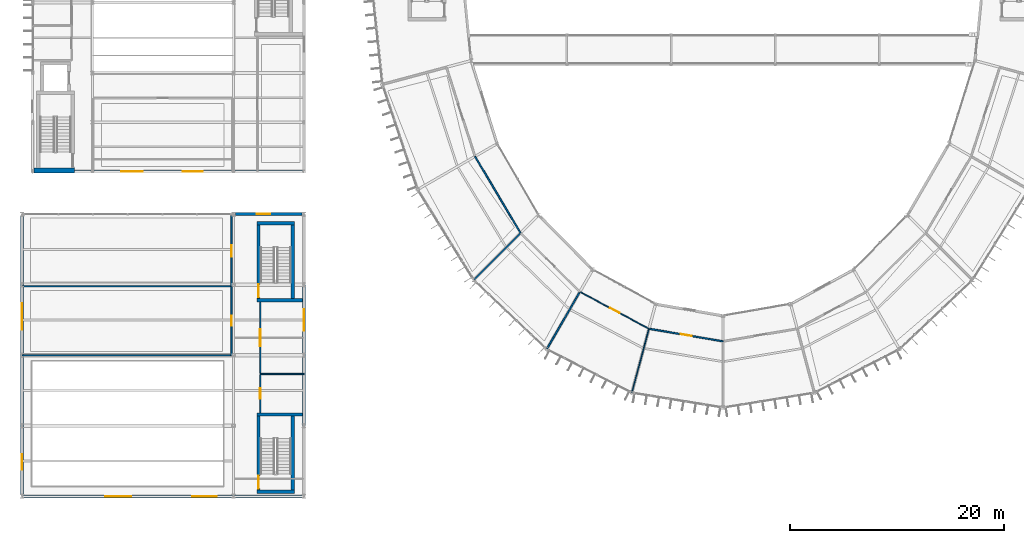
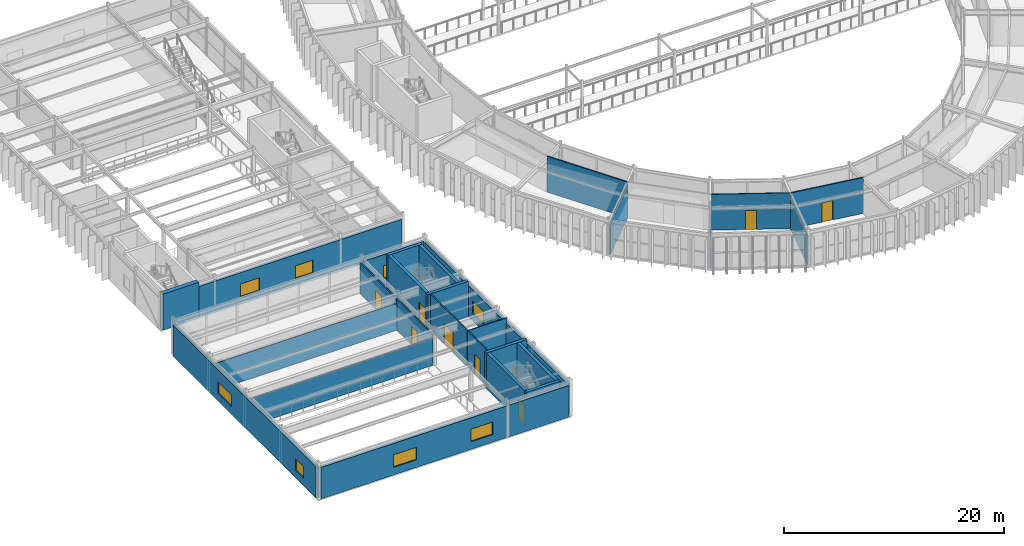
# One storey, part 121 of 148: 27 walls, 8 doors, 8 windows, 16 openings.
"""IFC4 building model written with IfcOpenShell, lengths in metres."""

from ifc_helpers import new_model, si_unit, direction, frame, frame_2d, origin, place, context, subcontext, project, spatial, rectangle, extrude, material, layer, layer_set, type_object, element, fill, save


model = new_model("IFC4")

# Units and contexts
model_context = context("Model", 3, precision=1e-05, world=origin(), true_north=direction((0.0, 1.0)))
body_context = subcontext(model_context, "Body", "Model", "MODEL_VIEW")
ifc_project = project(units=[si_unit("LENGTHUNIT", "METRE"), si_unit("AREAUNIT", "SQUARE_METRE"), si_unit("VOLUMEUNIT", "CUBIC_METRE"), si_unit("PLANEANGLEUNIT", "RADIAN"), si_unit("MASSUNIT", "GRAM", prefix="KILO")], contexts=[model_context])

# Site, building, storey
site_placement = place(None, origin())
site = spatial("IfcSite", under=ifc_project, at=site_placement, CompositionType="ELEMENT")
building_placement = place(site_placement, origin())
building = spatial("IfcBuilding", under=site, at=building_placement, Name="Karori Crest Natural Sciences Institute", CompositionType="ELEMENT")
storey_placement = place(building_placement, frame((0.0, 0.0, 4.89990234375)))
storey = spatial("IfcBuildingStorey", under=building, at=storey_placement, Name="L01", CompositionType="ELEMENT", Elevation=4.89990234375)

# Walls
ifc_material_1 = material(Name="Concrete 50 MPa", Category="concrete")
ifc_layer_1 = layer(ifc_material_1, 0.449951171875, Name="Concrete 50 MPa")
ifc_layer_set_1 = layer_set([ifc_layer_1], Name="Concrete 50 MPa")
wall_type_1 = type_object("IfcWallType", Name="IWT-01-EL", PredefinedType="SHEAR", material=ifc_layer_set_1)
wall_1_placement = place(storey_placement, frame((1.927001953125, 31.27490234375, 0.0), z_axis=(0.0, 0.0, 1.0), x_axis=(1.0, 0.0, 0.0)))
element("IfcWall", 1, at=wall_1_placement, inside=storey, type_object=wall_type_1, Name="Shear wall IW-0233", PredefinedType="SHEAR", context=body_context, shape_type="SweptSolid", body=[
    extrude(rectangle(XDim=3.79296875, YDim=0.449951171875, at=frame_2d((1.896484375, 0.0))), origin(), (0.0, 0.0, 1.0), 4.0),
])
ifc_layer_2 = layer(ifc_material_1, 0.320068359375, Name="Concrete 50 MPa")
ifc_layer_set_2 = layer_set([ifc_layer_2], Name="Concrete 50 MPa")
wall_type_2 = type_object("IfcWallType", Name="IWT-03", PredefinedType="SHEAR", material=ifc_layer_set_2)
wall_2_placement = place(storey_placement, frame((22.780029296875, 1.239990234375, 0.0), z_axis=(0.0, 0.0, 1.0), x_axis=(1.0, 0.0, 0.0)))
element("IfcWall", 2, at=wall_2_placement, inside=storey, type_object=wall_type_2, Name="Shear wall IW-0281", PredefinedType="SHEAR", context=body_context, shape_type="SweptSolid", body=[
    extrude(rectangle(XDim=3.5400390625, YDim=0.320068359375, at=frame_2d((1.77001953125, 0.0))), origin(), (0.0, 0.0, 1.0), 3.960205078125),
])
wall_3_placement = place(storey_placement, frame((22.780029296875, 8.4599609375, 0.0), z_axis=(0.0, 0.0, 1.0), x_axis=(1.0, 0.0, 0.0)))
element("IfcWall", 3, at=wall_3_placement, inside=storey, type_object=wall_type_2, Name="Shear wall IW-0282", PredefinedType="SHEAR", context=body_context, shape_type="SweptSolid", body=[
    extrude(rectangle(XDim=4.27490234375, YDim=0.320068359375, at=frame_2d((2.137451171875, 0.0))), origin(), (0.0, 0.0, 1.0), 3.960205078125),
])

# Wall, opening, door
wall_4_placement = place(storey_placement, frame((22.93994140625, 1.402099609375, 0.0), z_axis=(0.0, 0.0, 1.0), x_axis=(0.0, 1.0, 0.0)))
wall_4 = element("IfcWall", 4, at=wall_4_placement, inside=storey, type_object=wall_type_2, Name="Shear wall IW-0283", PredefinedType="SHEAR", context=body_context, shape_type="SweptSolid", body=[
    extrude(rectangle(XDim=6.89599609375, YDim=0.320068359375, at=frame_2d((3.447998046875, 0.0))), origin(), (0.0, 0.0, 1.0), 3.960205078125),
])
opening_1_placement = place(wall_4_placement, frame((0.1201171875, 0.0, 0.0)))
opening_1 = element("IfcOpeningElement", 5, at=opening_1_placement, cuts=wall_4, Name="Opening ID-0071", PredefinedType="OPENING", context=body_context, shape_type="SweptSolid", body=[
    extrude(rectangle(XDim=1.199951171875, YDim=2.14990234375, at=frame_2d((0.60009765625, 1.074951171875))), frame((0.0, 0.169921875, 0.0), z_axis=(0.0, -1.0, 0.0), x_axis=(1.0, 0.0, 0.0)), (0.0, 0.0, 1.0), 0.340087890625),
])
ifc_material_2 = material(Name="Stainless steel 316 and fire-rated timber", Category="steel")
door_type_1 = type_object("IfcDoorType", Name="IDT-01", OperationType="NOTDEFINED", PredefinedType="DOOR", material=ifc_material_2)
door_1_placement = place(opening_1_placement, origin())
door_1 = element("IfcDoor", 6, at=door_1_placement, inside=storey, type_object=door_type_1, Name="Stair ST-09 fire door ID-0071", OperationType="SINGLE_SWING_LEFT", OverallHeight=2.14990234375, OverallWidth=1.199951171875, PredefinedType="DOOR", context=body_context, shape_type="SweptSolid", body=[
    extrude(rectangle(XDim=1.199951171875, YDim=2.14990234375, at=frame_2d((0.60009765625, 1.074951171875))), frame((0.0, 0.02490234375, 0.0), z_axis=(0.0, -1.0, 0.0), x_axis=(1.0, 0.0, 0.0)), (0.0, 0.0, 1.0), 0.050048828125),
])
fill(opening_1, door_1)

# Walls
wall_5_placement = place(storey_placement, frame((26.159912109375, 1.402099609375, 0.0), z_axis=(0.0, 0.0, 1.0), x_axis=(0.0, 1.0, 0.0)))
element("IfcWall", 7, at=wall_5_placement, inside=storey, type_object=wall_type_2, Name="Shear wall IW-0284", PredefinedType="SHEAR", context=body_context, shape_type="SweptSolid", body=[
    extrude(rectangle(XDim=6.89599609375, YDim=0.320068359375, at=frame_2d((3.447998046875, 0.0))), origin(), (0.0, 0.0, 1.0), 3.960205078125),
])
wall_6_placement = place(storey_placement, frame((22.780029296875, 19.139892578125, 0.0), z_axis=(0.0, 0.0, 1.0), x_axis=(1.0, 0.0, 0.0)))
element("IfcWall", 8, at=wall_6_placement, inside=storey, type_object=wall_type_2, Name="Shear wall IW-0297", PredefinedType="SHEAR", context=body_context, shape_type="SweptSolid", body=[
    extrude(rectangle(XDim=4.27490234375, YDim=0.320068359375, at=frame_2d((2.137451171875, 0.0))), origin(), (0.0, 0.0, 1.0), 3.960205078125),
])
wall_7_placement = place(storey_placement, frame((22.780029296875, 26.360107421875, 0.0), z_axis=(0.0, 0.0, 1.0), x_axis=(1.0, 0.0, 0.0)))
element("IfcWall", 9, at=wall_7_placement, inside=storey, type_object=wall_type_2, Name="Shear wall IW-0298", PredefinedType="SHEAR", context=body_context, shape_type="SweptSolid", body=[
    extrude(rectangle(XDim=3.5400390625, YDim=0.320068359375, at=frame_2d((1.77001953125, 0.0))), origin(), (0.0, 0.0, 1.0), 3.960205078125),
])

# Wall, opening, door
wall_8_placement = place(storey_placement, frame((22.93994140625, 19.302001953125, 0.0), z_axis=(0.0, 0.0, 1.0), x_axis=(0.0, 1.0, 0.0)))
wall_8 = element("IfcWall", 10, at=wall_8_placement, inside=storey, type_object=wall_type_2, Name="Shear wall IW-0299", PredefinedType="SHEAR", context=body_context, shape_type="SweptSolid", body=[
    extrude(rectangle(XDim=6.89599609375, YDim=0.320068359375, at=frame_2d((3.447998046875, 0.0))), origin(), (0.0, 0.0, 1.0), 3.960205078125),
])
opening_2_placement = place(wall_8_placement, frame((0.1201171875, 0.0, 0.0)))
opening_2 = element("IfcOpeningElement", 11, at=opening_2_placement, cuts=wall_8, Name="Opening ID-0075", PredefinedType="OPENING", context=body_context, shape_type="SweptSolid", body=[
    extrude(rectangle(XDim=1.199951171875, YDim=2.14990234375, at=frame_2d((0.60009765625, 1.074951171875))), frame((0.0, 0.169921875, 0.0), z_axis=(0.0, -1.0, 0.0), x_axis=(1.0, 0.0, 0.0)), (0.0, 0.0, 1.0), 0.340087890625),
])
door_2_placement = place(opening_2_placement, origin())
door_2 = element("IfcDoor", 12, at=door_2_placement, inside=storey, type_object=door_type_1, Name="Stair ST-10 fire door ID-0075", OperationType="SINGLE_SWING_LEFT", OverallHeight=2.14990234375, OverallWidth=1.199951171875, PredefinedType="DOOR", context=body_context, shape_type="SweptSolid", body=[
    extrude(rectangle(XDim=1.199951171875, YDim=2.14990234375, at=frame_2d((0.60009765625, 1.074951171875))), frame((0.0, 0.02490234375, 0.0), z_axis=(0.0, -1.0, 0.0), x_axis=(1.0, 0.0, 0.0)), (0.0, 0.0, 1.0), 0.050048828125),
])
fill(opening_2, door_2)

# Walls
wall_9_placement = place(storey_placement, frame((26.159912109375, 19.302001953125, 0.0), z_axis=(0.0, 0.0, 1.0), x_axis=(0.0, 1.0, 0.0)))
element("IfcWall", 13, at=wall_9_placement, inside=storey, type_object=wall_type_2, Name="Shear wall IW-0300", PredefinedType="SHEAR", context=body_context, shape_type="SweptSolid", body=[
    extrude(rectangle(XDim=6.89599609375, YDim=0.320068359375, at=frame_2d((3.447998046875, 0.0))), origin(), (0.0, 0.0, 1.0), 3.960205078125),
])
ifc_material_3 = material(Name="Laboratory acoustic drywall partition")
ifc_layer_3 = layer(ifc_material_3, 0.139892578125, Name="Laboratory acoustic drywall partition")
ifc_layer_set_3 = layer_set([ifc_layer_3], Name="Laboratory acoustic drywall partition")
wall_type_3 = type_object("IfcWallType", Name="IWT-07", PredefinedType="PARTITIONING", material=ifc_layer_set_3)
wall_10_placement = place(storey_placement, frame((43.19140625, 32.598388671875, 0.0), z_axis=(0.0, 0.0, 1.0), x_axis=(0.510915698067, -0.859630821614, 0.0)))
element("IfcWall", 14, at=wall_10_placement, inside=storey, type_object=wall_type_3, Name="Partition wall IW-1231", PredefinedType="PARTITIONING", context=body_context, shape_type="SweptSolid", body=[
    extrude(rectangle(XDim=8.334228515625, YDim=0.139892578125, at=frame_2d((4.1669921875, 0.0))), origin(), (0.0, 0.0, 1.0), 3.97998046875),
])
wall_11_placement = place(storey_placement, frame((47.392822265625, 25.37744140625, 0.0), z_axis=(0.0, 0.0, 1.0), x_axis=(-0.707086637129, -0.70712692467, 0.0)))
element("IfcWall", 15, at=wall_11_placement, inside=storey, type_object=wall_type_3, Name="Partition wall IW-1233", PredefinedType="PARTITIONING", context=body_context, shape_type="SweptSolid", body=[
    extrude(rectangle(XDim=6.06005859375, YDim=0.139892578125, at=frame_2d((3.030029296875, 0.0))), origin(), (0.0, 0.0, 1.0), 3.39208984375),
])
wall_12_placement = place(storey_placement, frame((52.9599609375, 19.8662109375, 0.0), z_axis=(0.0, 0.0, 1.0), x_axis=(-0.500008418462, -0.866020543329, 0.0)))
element("IfcWall", 16, at=wall_12_placement, inside=storey, type_object=wall_type_3, Name="Partition wall IW-1235", PredefinedType="PARTITIONING", context=body_context, shape_type="SweptSolid", body=[
    extrude(rectangle(XDim=6.06005859375, YDim=0.139892578125, at=frame_2d((3.030029296875, 0.0))), origin(), (0.0, 0.0, 1.0), 3.31298828125),
])

# Wall, opening, door
wall_13_placement = place(storey_placement, frame((59.51513671875, 16.47021484375, 0.0), z_axis=(0.0, 0.0, 1.0), x_axis=(0.985861622289, -0.167561516157, 0.0)))
wall_13 = element("IfcWall", 17, at=wall_13_placement, inside=storey, type_object=wall_type_3, Name="Partition wall IW-1238", PredefinedType="PARTITIONING", context=body_context, shape_type="SweptSolid", body=[
    extrude(rectangle(XDim=6.9833984375, YDim=0.139892578125, at=frame_2d((3.49169921875, 0.0))), origin(), (0.0, 0.0, 1.0), 3.97998046875),
])
opening_3_placement = place(wall_13_placement, frame((2.966796875, 0.0, 0.0)))
opening_3 = element("IfcOpeningElement", 18, at=opening_3_placement, cuts=wall_13, Name="Opening ID-0378", PredefinedType="OPENING", context=body_context, shape_type="SweptSolid", body=[
    extrude(rectangle(XDim=1.050048828125, YDim=2.14990234375, at=frame_2d((0.52490234375, 1.074951171875))), frame((0.0, 0.080078125, 0.0), z_axis=(0.0, -1.0, 0.0), x_axis=(1.0, 0.0, 0.0)), (0.0, 0.0, 1.0), 0.159912109375),
])
door_type_2 = type_object("IfcDoorType", Name="IDT-03", OperationType="NOTDEFINED", PredefinedType="DOOR", material=ifc_material_2)
door_3_placement = place(opening_3_placement, origin())
door_3 = element("IfcDoor", 19, at=door_3_placement, inside=storey, type_object=door_type_2, Name="Paleoclimate Core Analysis Laboratory door ID-0378", OperationType="SINGLE_SWING_LEFT", OverallHeight=2.14990234375, OverallWidth=1.050048828125, PredefinedType="DOOR", context=body_context, shape_type="SweptSolid", body=[
    extrude(rectangle(XDim=1.050048828125, YDim=2.14990234375, at=frame_2d((0.52490234375, 1.074951171875))), frame((0.0, 0.02490234375, 0.0), z_axis=(0.0, -1.0, 0.0), x_axis=(1.0, 0.0, 0.0)), (0.0, 0.0, 1.0), 0.050048828125),
])
fill(opening_3, door_3)

# Walls
ifc_material_4 = material(Name="Write-up office acoustic partition")
ifc_layer_4 = layer(ifc_material_4, 0.1201171875, Name="Write-up office acoustic partition")
ifc_layer_set_4 = layer_set([ifc_layer_4], Name="Write-up office acoustic partition")
wall_type_4 = type_object("IfcWallType", Name="IWT-08", PredefinedType="PARTITIONING", material=ifc_layer_set_4)
for number, where, z_axis, x_axis, name in (
    (20, (0.800048828125, 14.0, 0.0), (0.0, 0.0, 1.0), (1.0, 0.0, 0.0), "Partition wall IW-1059"),
    (21, (0.800048828125, 20.449951171875, 0.0), (0.0, 0.0, 1.0), (1.0, 0.0, 0.0), "Partition wall IW-1060"),
):
    element("IfcWall", number, at=place(storey_placement, frame(where, z_axis=z_axis, x_axis=x_axis)), inside=storey, type_object=wall_type_4, Name=name, PredefinedType="PARTITIONING", context=body_context, shape_type="SweptSolid", body=[
        extrude(rectangle(XDim=19.599853515625, YDim=0.1201171875, at=frame_2d((9.7998046875, 0.0))), origin(), (0.0, 0.0, 1.0), 2.9970703125),
    ])

# Wall, opening, door
wall_14_placement = place(storey_placement, frame((20.39990234375, 14.0, 0.0), z_axis=(0.0, 0.0, 1.0), x_axis=(0.0, 1.0, 0.0)))
wall_14 = element("IfcWall", 22, at=wall_14_placement, inside=storey, type_object=wall_type_4, Name="Partition wall IW-1061", PredefinedType="PARTITIONING", context=body_context, shape_type="SweptSolid", body=[
    extrude(rectangle(XDim=6.449951171875, YDim=0.1201171875, at=frame_2d((3.22509765625, 0.0))), origin(), (0.0, 0.0, 1.0), 3.445068359375),
])
opening_4_placement = place(wall_14_placement, frame((2.75, 0.0, 0.0)))
opening_4 = element("IfcOpeningElement", 23, at=opening_4_placement, cuts=wall_14, Name="Opening ID-0299", PredefinedType="OPENING", context=body_context, shape_type="SweptSolid", body=[
    extrude(rectangle(XDim=0.949951171875, YDim=2.10009765625, at=frame_2d((0.47509765625, 1.050048828125))), frame((0.0, 0.070068359375, 0.0), z_axis=(0.0, -1.0, 0.0), x_axis=(1.0, 0.0, 0.0)), (0.0, 0.0, 1.0), 0.14013671875),
])
ifc_material_5 = material(Name="Anodised aluminium and acoustic timber", Category="wood")
door_type_3 = type_object("IfcDoorType", Name="IDT-08", OperationType="NOTDEFINED", PredefinedType="DOOR", material=ifc_material_5)
door_4_placement = place(opening_4_placement, origin())
door_4 = element("IfcDoor", 24, at=door_4_placement, inside=storey, type_object=door_type_3, Name="Auditorium Upper Tier Gallery door ID-0299", OperationType="SINGLE_SWING_LEFT", OverallHeight=2.10009765625, OverallWidth=0.949951171875, PredefinedType="DOOR", context=body_context, shape_type="SweptSolid", body=[
    extrude(rectangle(XDim=0.949951171875, YDim=2.10009765625, at=frame_2d((0.47509765625, 1.050048828125))), frame((0.0, 0.02490234375, 0.0), z_axis=(0.0, -1.0, 0.0), x_axis=(1.0, 0.0, 0.0)), (0.0, 0.0, 1.0), 0.050048828125),
])
fill(opening_4, door_4)

wall_15_placement = place(storey_placement, frame((20.39990234375, 20.451904296875, 0.0), z_axis=(0.0, 0.0, 1.0), x_axis=(0.0, 1.0, 0.0)))
wall_15 = element("IfcWall", 25, at=wall_15_placement, inside=storey, type_object=wall_type_4, Name="Partition wall IW-1062", PredefinedType="PARTITIONING", context=body_context, shape_type="SweptSolid", body=[
    extrude(rectangle(XDim=6.606201171875, YDim=0.1201171875, at=frame_2d((3.30322265625, 0.0))), origin(), (0.0, 0.0, 1.0), 3.445068359375),
])
opening_5_placement = place(wall_15_placement, frame((2.762939453125, 0.0, 0.0)))
opening_5 = element("IfcOpeningElement", 26, at=opening_5_placement, cuts=wall_15, Name="Opening ID-0300", PredefinedType="OPENING", context=body_context, shape_type="SweptSolid", body=[
    extrude(rectangle(XDim=1.080078125, YDim=2.1201171875, at=frame_2d((0.5400390625, 1.06005859375))), frame((0.0, 0.070068359375, 0.0), z_axis=(0.0, -1.0, 0.0), x_axis=(1.0, 0.0, 0.0)), (0.0, 0.0, 1.0), 0.14013671875),
])
door_type_4 = type_object("IfcDoorType", Name="IDT-12", OperationType="NOTDEFINED", PredefinedType="DOOR", material=ifc_material_5)
door_5_placement = place(opening_5_placement, origin())
door_5 = element("IfcDoor", 27, at=door_5_placement, inside=storey, type_object=door_type_4, Name="Projection and Acoustic Control Suite door ID-0300", OperationType="SINGLE_SWING_RIGHT", OverallHeight=2.1201171875, OverallWidth=1.080078125, PredefinedType="DOOR", context=body_context, shape_type="SweptSolid", body=[
    extrude(rectangle(XDim=1.080078125, YDim=2.1201171875, at=frame_2d((0.5400390625, 1.06005859375))), frame((0.0, 0.02490234375, 0.0), z_axis=(0.0, -1.0, 0.0), x_axis=(1.0, 0.0, 0.0)), (0.0, 0.0, 1.0), 0.050048828125),
])
fill(opening_5, door_5)

wall_16_placement = place(storey_placement, frame((23.10009765625, 12.302001953125, 0.0), z_axis=(0.0, 0.0, 1.0), x_axis=(0.0, 1.0, 0.0)))
wall_16 = element("IfcWall", 28, at=wall_16_placement, inside=storey, type_object=wall_type_4, Name="Partition wall IW-1065", PredefinedType="PARTITIONING", context=body_context, shape_type="SweptSolid", body=[
    extrude(rectangle(XDim=6.677978515625, YDim=0.1201171875, at=frame_2d((3.3388671875, 0.0))), origin(), (0.0, 0.0, 1.0), 3.960205078125),
])
opening_6_placement = place(wall_16_placement, frame((2.5390625, 0.0, 0.0)))
opening_6 = element("IfcOpeningElement", 29, at=opening_6_placement, cuts=wall_16, Name="Opening ID-0302", PredefinedType="OPENING", context=body_context, shape_type="SweptSolid", body=[
    extrude(rectangle(XDim=1.60009765625, YDim=2.179931640625, at=frame_2d((0.800048828125, 1.08984375))), frame((0.0, 0.070068359375, 0.0), z_axis=(0.0, -1.0, 0.0), x_axis=(1.0, 0.0, 0.0)), (0.0, 0.0, 1.0), 0.14013671875),
])
door_type_5 = type_object("IfcDoorType", Name="IDT-13", OperationType="DOUBLE_DOOR_SINGLE_SWING", PredefinedType="DOOR", material=ifc_material_5)
door_6_placement = place(opening_6_placement, origin())
door_6 = element("IfcDoor", 30, at=door_6_placement, inside=storey, type_object=door_type_5, Name="Green Room Colloquium Lounge door ID-0302", OperationType="DOUBLE_DOOR_SINGLE_SWING", OverallHeight=2.179931640625, OverallWidth=1.60009765625, PredefinedType="DOOR", context=body_context, shape_type="SweptSolid", body=[
    extrude(rectangle(XDim=1.60009765625, YDim=2.179931640625, at=frame_2d((0.800048828125, 1.08984375))), frame((0.0, 0.02490234375, 0.0), z_axis=(0.0, -1.0, 0.0), x_axis=(1.0, 0.0, 0.0)), (0.0, 0.0, 1.0), 0.050048828125),
])
fill(opening_6, door_6)

# Wall
ifc_material_6 = material(Name="Washroom moisture-resistant partition")
ifc_layer_5 = layer(ifc_material_6, 0.10009765625, Name="Washroom moisture-resistant partition")
ifc_layer_set_5 = layer_set([ifc_layer_5], Name="Washroom moisture-resistant partition")
wall_type_5 = type_object("IfcWallType", Name="IWT-09", PredefinedType="PARTITIONING", material=ifc_layer_set_5)
wall_17_placement = place(storey_placement, frame((23.10205078125, 12.25, 0.0), z_axis=(0.0, 0.0, 1.0), x_axis=(1.0, 0.0, 0.0)))
element("IfcWall", 31, at=wall_17_placement, inside=storey, type_object=wall_type_5, Name="Partition wall IW-1063", PredefinedType="PARTITIONING", context=body_context, shape_type="SweptSolid", body=[
    extrude(rectangle(XDim=4.097900390625, YDim=0.10009765625, at=frame_2d((2.048828125, 0.0))), origin(), (0.0, 0.0, 1.0), 3.960205078125),
])

# Wall, opening, door
wall_18_placement = place(storey_placement, frame((23.10009765625, 8.6201171875, 0.0), z_axis=(0.0, 0.0, 1.0), x_axis=(0.0, 1.0, 0.0)))
wall_18 = element("IfcWall", 32, at=wall_18_placement, inside=storey, type_object=wall_type_5, Name="Partition wall IW-1064", PredefinedType="PARTITIONING", context=body_context, shape_type="SweptSolid", body=[
    extrude(rectangle(XDim=3.577880859375, YDim=0.10009765625, at=frame_2d((1.7890625, 0.0))), origin(), (0.0, 0.0, 1.0), 3.960205078125),
])
opening_7_placement = place(wall_18_placement, frame((1.2890625, 0.0, 0.0)))
opening_7 = element("IfcOpeningElement", 33, at=opening_7_placement, cuts=wall_18, Name="Opening ID-0301", PredefinedType="OPENING", context=body_context, shape_type="SweptSolid", body=[
    extrude(rectangle(XDim=1.0, YDim=2.10009765625, at=frame_2d((0.5, 1.050048828125))), frame((0.0, 0.06005859375, 0.0), z_axis=(0.0, -1.0, 0.0), x_axis=(1.0, 0.0, 0.0)), (0.0, 0.0, 1.0), 0.1201171875),
])
door_type_6 = type_object("IfcDoorType", Name="IDT-09", OperationType="NOTDEFINED", PredefinedType="DOOR", material=ifc_material_5)
door_7_placement = place(opening_7_placement, origin())
door_7 = element("IfcDoor", 34, at=door_7_placement, inside=storey, type_object=door_type_6, Name="Accessible WC door ID-0301", OperationType="SINGLE_SWING_LEFT", OverallHeight=2.10009765625, OverallWidth=1.0, PredefinedType="DOOR", context=body_context, shape_type="SweptSolid", body=[
    extrude(rectangle(XDim=1.0, YDim=2.10009765625, at=frame_2d((0.5, 1.050048828125))), frame((0.0, 0.02490234375, 0.0), z_axis=(0.0, -1.0, 0.0), x_axis=(1.0, 0.0, 0.0)), (0.0, 0.0, 1.0), 0.050048828125),
])
fill(opening_7, door_7)

wall_19_placement = place(storey_placement, frame((53.0634765625, 19.901611328125, 0.0), z_axis=(0.0, 0.0, 1.0), x_axis=(0.881826283139, -0.471574391125, 0.0)))
wall_19 = element("IfcWall", 35, at=wall_19_placement, inside=storey, type_object=wall_type_5, Name="Partition wall IW-1236", PredefinedType="PARTITIONING", context=body_context, shape_type="SweptSolid", body=[
    extrude(rectangle(XDim=7.2578125, YDim=0.10009765625, at=frame_2d((3.62890625, 0.0))), origin(), (0.0, 0.0, 1.0), 3.97998046875),
])
opening_8_placement = place(wall_19_placement, frame((3.12890625, 0.0, 0.0)))
opening_8 = element("IfcOpeningElement", 36, at=opening_8_placement, cuts=wall_19, Name="Opening ID-0377", PredefinedType="OPENING", context=body_context, shape_type="SweptSolid", body=[
    extrude(rectangle(XDim=1.0, YDim=2.10009765625, at=frame_2d((0.5, 1.050048828125))), frame((0.0, 0.06005859375, 0.0), z_axis=(0.0, -1.0, 0.0), x_axis=(1.0, 0.0, 0.0)), (0.0, 0.0, 1.0), 0.1201171875),
])
door_8_placement = place(opening_8_placement, origin())
door_8 = element("IfcDoor", 37, at=door_8_placement, inside=storey, type_object=door_type_6, Name="Laboratory Washroom WC door ID-0377", OperationType="SINGLE_SWING_RIGHT", OverallHeight=2.10009765625, OverallWidth=1.0, PredefinedType="DOOR", context=body_context, shape_type="SweptSolid", body=[
    extrude(rectangle(XDim=1.0, YDim=2.10009765625, at=frame_2d((0.5, 1.050048828125))), frame((0.0, 0.02490234375, 0.0), z_axis=(0.0, -1.0, 0.0), x_axis=(1.0, 0.0, 0.0)), (0.0, 0.0, 1.0), 0.050048828125),
])
fill(opening_8, door_8)

# Wall
wall_20_placement = place(storey_placement, frame((59.44287109375, 16.401611328125, 0.0), z_axis=(0.0, 0.0, 1.0), x_axis=(-0.258805895167, -0.965929349708, 0.0)))
element("IfcWall", 38, at=wall_20_placement, inside=storey, type_object=wall_type_5, Name="Partition wall IW-1237", PredefinedType="PARTITIONING", context=body_context, shape_type="SweptSolid", body=[
    extrude(rectangle(XDim=6.06005859375, YDim=0.10009765625, at=frame_2d((3.030029296875, 0.0))), origin(), (0.0, 0.0, 1.0), 3.322998046875),
])

# Wall, openings, windows
ifc_material_7 = material(Name="Precast concrete 40 MPa", Category="concrete")
ifc_layer_6 = layer(ifc_material_7, 0.280029296875, Name="Precast concrete 40 MPa")
ifc_layer_set_6 = layer_set([ifc_layer_6], Name="Precast concrete 40 MPa")
wall_type_6 = type_object("IfcWallType", Name="WT-02", PredefinedType="SOLIDWALL", material=ifc_layer_set_6)
wall_21_placement = place(storey_placement, frame((0.800048828125, 0.972900390625, 0.0), z_axis=(0.0, 0.0, 1.0), x_axis=(0.0, 1.0, 0.0)))
wall_21 = element("IfcWall", 39, at=wall_21_placement, inside=storey, type_object=wall_type_6, Name="Exterior wall EW-0121", PredefinedType="SOLIDWALL", context=body_context, shape_type="SweptSolid", body=[
    extrude(rectangle(XDim=26.05419921875, YDim=0.280029296875, at=frame_2d((13.027099609375, 0.0))), origin(), (0.0, 0.0, 1.0), 3.445068359375),
])
opening_9_placement = place(wall_21_placement, frame((2.300048828125, 0.0, 0.85009765625)))
opening_9 = element("IfcOpeningElement", 40, at=opening_9_placement, cuts=wall_21, Name="Opening WN-0060", PredefinedType="OPENING", context=body_context, shape_type="SweptSolid", body=[
    extrude(rectangle(XDim=1.449951171875, YDim=1.25, at=frame_2d((0.72509765625, 0.625))), frame((0.0, 0.14990234375, 0.0), z_axis=(0.0, -1.0, 0.0), x_axis=(1.0, 0.0, 0.0)), (0.0, 0.0, 1.0), 0.300048828125),
])
opening_10_placement = place(wall_21_placement, frame((15.39990234375, 0.0, 0.85009765625)))
opening_10 = element("IfcOpeningElement", 41, at=opening_10_placement, cuts=wall_21, Name="Opening WN-0061", PredefinedType="OPENING", context=body_context, shape_type="SweptSolid", body=[
    extrude(rectangle(XDim=2.5, YDim=1.25, at=frame_2d((1.25, 0.625))), frame((0.0, 0.14990234375, 0.0), z_axis=(0.0, -1.0, 0.0), x_axis=(1.0, 0.0, 0.0)), (0.0, 0.0, 1.0), 0.300048828125),
])
ifc_material_8 = material(Name="Double low-E laminated glass", Category="glass")
window_type_1 = type_object("IfcWindowType", Name="WNT-12", PartitioningType="SINGLE_PANEL", PredefinedType="WINDOW", material=ifc_material_8)
window_1_placement = place(opening_9_placement, origin())
window_1 = element("IfcWindow", 42, at=window_1_placement, inside=storey, type_object=window_type_1, Name="Window WN-0060", OverallHeight=1.25, OverallWidth=1.449951171875, PartitioningType="SINGLE_PANEL", PredefinedType="WINDOW", context=body_context, shape_type="SweptSolid", body=[
    extrude(rectangle(XDim=1.449951171875, YDim=1.25, at=frame_2d((0.72509765625, 0.625))), frame((0.0, 0.030029296875, 0.0), z_axis=(0.0, -1.0, 0.0), x_axis=(1.0, 0.0, 0.0)), (0.0, 0.0, 1.0), 0.06005859375),
])
fill(opening_9, window_1)
window_type_2 = type_object("IfcWindowType", Name="WNT-16", PartitioningType="SINGLE_PANEL", PredefinedType="WINDOW", material=ifc_material_8)
window_2_placement = place(opening_10_placement, origin())
window_2 = element("IfcWindow", 43, at=window_2_placement, inside=storey, type_object=window_type_2, Name="Window WN-0061", OverallHeight=1.25, OverallWidth=2.5, PartitioningType="SINGLE_PANEL", PredefinedType="WINDOW", context=body_context, shape_type="SweptSolid", body=[
    extrude(rectangle(XDim=2.5, YDim=1.25, at=frame_2d((1.25, 0.625))), frame((0.0, 0.030029296875, 0.0), z_axis=(0.0, -1.0, 0.0), x_axis=(1.0, 0.0, 0.0)), (0.0, 0.0, 1.0), 0.06005859375),
])
fill(opening_10, window_2)

# Wall, opening, window
wall_22_placement = place(storey_placement, frame((20.77294921875, 27.199951171875, 0.0), z_axis=(0.0, 0.0, 1.0), x_axis=(1.0, 0.0, 0.0)))
wall_22 = element("IfcWall", 44, at=wall_22_placement, inside=storey, type_object=wall_type_6, Name="Exterior wall EW-0122", PredefinedType="SOLIDWALL", context=body_context, shape_type="SweptSolid", body=[
    extrude(rectangle(XDim=6.254150390625, YDim=0.280029296875, at=frame_2d((3.126953125, 0.0))), origin(), (0.0, 0.0, 1.0), 3.505126953125),
])
opening_11_placement = place(wall_22_placement, frame((2.0, 0.0, 0.85009765625)))
opening_11 = element("IfcOpeningElement", 45, at=opening_11_placement, cuts=wall_22, Name="Opening WN-0062", PredefinedType="OPENING", context=body_context, shape_type="SweptSolid", body=[
    extrude(rectangle(XDim=1.25, YDim=1.39990234375, at=frame_2d((0.625, 0.699951171875))), frame((0.0, 0.14990234375, 0.0), z_axis=(0.0, -1.0, 0.0), x_axis=(1.0, 0.0, 0.0)), (0.0, 0.0, 1.0), 0.300048828125),
])
window_type_3 = type_object("IfcWindowType", Name="WNT-02", PartitioningType="SINGLE_PANEL", PredefinedType="WINDOW", material=ifc_material_8)
window_3_placement = place(opening_11_placement, origin())
window_3 = element("IfcWindow", 46, at=window_3_placement, inside=storey, type_object=window_type_3, Name="Window WN-0062", OverallHeight=1.39990234375, OverallWidth=1.25, PartitioningType="SINGLE_PANEL", PredefinedType="WINDOW", context=body_context, shape_type="SweptSolid", body=[
    extrude(rectangle(XDim=1.25, YDim=1.39990234375, at=frame_2d((0.625, 0.699951171875))), frame((0.0, 0.030029296875, 0.0), z_axis=(0.0, -1.0, 0.0), x_axis=(1.0, 0.0, 0.0)), (0.0, 0.0, 1.0), 0.06005859375),
])
fill(opening_11, window_3)

wall_23_placement = place(storey_placement, frame((27.199951171875, 27.027099609375, 0.0), z_axis=(0.0, 0.0, 1.0), x_axis=(0.0, -1.0, 0.0)))
wall_23 = element("IfcWall", 47, at=wall_23_placement, inside=storey, type_object=wall_type_6, Name="Exterior wall EW-0123", PredefinedType="SOLIDWALL", context=body_context, shape_type="SweptSolid", body=[
    extrude(rectangle(XDim=26.05419921875, YDim=0.280029296875, at=frame_2d((13.027099609375, 0.0))), origin(), (0.0, 0.0, 1.0), 3.445068359375),
])
opening_12_placement = place(wall_23_placement, frame((8.72705078125, 0.0, 0.85009765625)))
opening_12 = element("IfcOpeningElement", 48, at=opening_12_placement, cuts=wall_23, Name="Opening WN-0063", PredefinedType="OPENING", context=body_context, shape_type="SweptSolid", body=[
    extrude(rectangle(XDim=2.0, YDim=1.39990234375, at=frame_2d((1.0, 0.699951171875))), frame((0.0, 0.14990234375, 0.0), z_axis=(0.0, -1.0, 0.0), x_axis=(1.0, 0.0, 0.0)), (0.0, 0.0, 1.0), 0.300048828125),
])
window_type_4 = type_object("IfcWindowType", Name="WNT-07", PartitioningType="SINGLE_PANEL", PredefinedType="WINDOW", material=ifc_material_8)
window_4_placement = place(opening_12_placement, origin())
window_4 = element("IfcWindow", 49, at=window_4_placement, inside=storey, type_object=window_type_4, Name="Window WN-0063", OverallHeight=1.39990234375, OverallWidth=2.0, PartitioningType="SINGLE_PANEL", PredefinedType="WINDOW", context=body_context, shape_type="SweptSolid", body=[
    extrude(rectangle(XDim=2.0, YDim=1.39990234375, at=frame_2d((1.0, 0.699951171875))), frame((0.0, 0.030029296875, 0.0), z_axis=(0.0, -1.0, 0.0), x_axis=(1.0, 0.0, 0.0)), (0.0, 0.0, 1.0), 0.06005859375),
])
fill(opening_12, window_4)

# Wall, openings, windows
wall_24_placement = place(storey_placement, frame((27.027099609375, 0.800048828125, 0.0), z_axis=(0.0, 0.0, 1.0), x_axis=(-1.0, 0.0, 0.0)))
wall_24 = element("IfcWall", 50, at=wall_24_placement, inside=storey, type_object=wall_type_6, Name="Exterior wall EW-0124", PredefinedType="SOLIDWALL", context=body_context, shape_type="SweptSolid", body=[
    extrude(rectangle(XDim=26.05419921875, YDim=0.280029296875, at=frame_2d((13.027099609375, 0.0))), origin(), (0.0, 0.0, 1.0), 3.505126953125),
])
opening_13_placement = place(wall_24_placement, frame((8.0, 0.0, 0.85009765625)))
opening_13 = element("IfcOpeningElement", 51, at=opening_13_placement, cuts=wall_24, Name="Opening WN-0064", PredefinedType="OPENING", context=body_context, shape_type="SweptSolid", body=[
    extrude(rectangle(XDim=2.300048828125, YDim=1.39990234375, at=frame_2d((1.14990234375, 0.699951171875))), frame((0.0, 0.14990234375, 0.0), z_axis=(0.0, -1.0, 0.0), x_axis=(1.0, 0.0, 0.0)), (0.0, 0.0, 1.0), 0.300048828125),
])
opening_14_placement = place(wall_24_placement, frame((16.0, 0.0, 0.85009765625)))
opening_14 = element("IfcOpeningElement", 52, at=opening_14_placement, cuts=wall_24, Name="Opening WN-0065", PredefinedType="OPENING", context=body_context, shape_type="SweptSolid", body=[
    extrude(rectangle(XDim=2.449951171875, YDim=1.39990234375, at=frame_2d((1.22509765625, 0.699951171875))), frame((0.0, 0.14990234375, 0.0), z_axis=(0.0, -1.0, 0.0), x_axis=(1.0, 0.0, 0.0)), (0.0, 0.0, 1.0), 0.300048828125),
])
window_type_5 = type_object("IfcWindowType", Name="WNT-09", PartitioningType="SINGLE_PANEL", PredefinedType="WINDOW", material=ifc_material_8)
window_5_placement = place(opening_13_placement, origin())
window_5 = element("IfcWindow", 53, at=window_5_placement, inside=storey, type_object=window_type_5, Name="Window WN-0064", OverallHeight=1.39990234375, OverallWidth=2.300048828125, PartitioningType="SINGLE_PANEL", PredefinedType="WINDOW", context=body_context, shape_type="SweptSolid", body=[
    extrude(rectangle(XDim=2.300048828125, YDim=1.39990234375, at=frame_2d((1.14990234375, 0.699951171875))), frame((0.0, 0.030029296875, 0.0), z_axis=(0.0, -1.0, 0.0), x_axis=(1.0, 0.0, 0.0)), (0.0, 0.0, 1.0), 0.06005859375),
])
fill(opening_13, window_5)
window_type_6 = type_object("IfcWindowType", Name="WNT-10", PartitioningType="SINGLE_PANEL", PredefinedType="WINDOW", material=ifc_material_8)
window_6_placement = place(opening_14_placement, origin())
window_6 = element("IfcWindow", 54, at=window_6_placement, inside=storey, type_object=window_type_6, Name="Window WN-0065", OverallHeight=1.39990234375, OverallWidth=2.449951171875, PartitioningType="SINGLE_PANEL", PredefinedType="WINDOW", context=body_context, shape_type="SweptSolid", body=[
    extrude(rectangle(XDim=2.449951171875, YDim=1.39990234375, at=frame_2d((1.22509765625, 0.699951171875))), frame((0.0, 0.030029296875, 0.0), z_axis=(0.0, -1.0, 0.0), x_axis=(1.0, 0.0, 0.0)), (0.0, 0.0, 1.0), 0.06005859375),
])
fill(opening_14, window_6)

ifc_layer_7 = layer(ifc_material_7, 0.239990234375, Name="Precast concrete 40 MPa")
ifc_layer_set_7 = layer_set([ifc_layer_7], Name="Precast concrete 40 MPa")
wall_type_7 = type_object("IfcWallType", Name="WT-04", PredefinedType="SOLIDWALL", material=ifc_layer_set_7)
wall_25_placement = place(storey_placement, frame((27.076904296875, 31.199951171875, 0.0), z_axis=(0.0, 0.0, 1.0), x_axis=(-1.0, 0.0, 0.0)))
wall_25 = element("IfcWall", 55, at=wall_25_placement, inside=storey, type_object=wall_type_7, Name="Exterior wall EW-0140", PredefinedType="SOLIDWALL", context=body_context, shape_type="SweptSolid", body=[
    extrude(rectangle(XDim=21.35498046875, YDim=0.239990234375, at=frame_2d((10.677490234375, 0.0))), origin(), (0.0, 0.0, 1.0), 3.505126953125),
])
opening_15_placement = place(wall_25_placement, frame((9.376953125, 0.0, 0.85009765625)))
opening_15 = element("IfcOpeningElement", 56, at=opening_15_placement, cuts=wall_25, Name="Opening WN-0078", PredefinedType="OPENING", context=body_context, shape_type="SweptSolid", body=[
    extrude(rectangle(XDim=1.85009765625, YDim=1.39990234375, at=frame_2d((0.925048828125, 0.699951171875))), frame((0.0, 0.1298828125, 0.0), z_axis=(0.0, -1.0, 0.0), x_axis=(1.0, 0.0, 0.0)), (0.0, 0.0, 1.0), 0.260009765625),
])
opening_16_placement = place(wall_25_placement, frame((14.97705078125, 0.0, 0.85009765625)))
opening_16 = element("IfcOpeningElement", 57, at=opening_16_placement, cuts=wall_25, Name="Opening WN-0079", PredefinedType="OPENING", context=body_context, shape_type="SweptSolid", body=[
    extrude(rectangle(XDim=2.0, YDim=1.39990234375, at=frame_2d((1.0, 0.699951171875))), frame((0.0, 0.1298828125, 0.0), z_axis=(0.0, -1.0, 0.0), x_axis=(1.0, 0.0, 0.0)), (0.0, 0.0, 1.0), 0.260009765625),
])
window_type_7 = type_object("IfcWindowType", Name="WNT-06", PartitioningType="SINGLE_PANEL", PredefinedType="WINDOW", material=ifc_material_8)
window_7_placement = place(opening_15_placement, origin())
window_7 = element("IfcWindow", 58, at=window_7_placement, inside=storey, type_object=window_type_7, Name="Window WN-0078", OverallHeight=1.39990234375, OverallWidth=1.85009765625, PartitioningType="SINGLE_PANEL", PredefinedType="WINDOW", context=body_context, shape_type="SweptSolid", body=[
    extrude(rectangle(XDim=1.85009765625, YDim=1.39990234375, at=frame_2d((0.925048828125, 0.699951171875))), frame((0.0, 0.030029296875, 0.0), z_axis=(0.0, -1.0, 0.0), x_axis=(1.0, 0.0, 0.0)), (0.0, 0.0, 1.0), 0.06005859375),
])
fill(opening_15, window_7)
window_8_placement = place(opening_16_placement, origin())
window_8 = element("IfcWindow", 59, at=window_8_placement, inside=storey, type_object=window_type_4, Name="Window WN-0079", OverallHeight=1.39990234375, OverallWidth=2.0, PartitioningType="SINGLE_PANEL", PredefinedType="WINDOW", context=body_context, shape_type="SweptSolid", body=[
    extrude(rectangle(XDim=2.0, YDim=1.39990234375, at=frame_2d((1.0, 0.699951171875))), frame((0.0, 0.030029296875, 0.0), z_axis=(0.0, -1.0, 0.0), x_axis=(1.0, 0.0, 0.0)), (0.0, 0.0, 1.0), 0.06005859375),
])
fill(opening_16, window_8)

save(model, "model.ifc")
